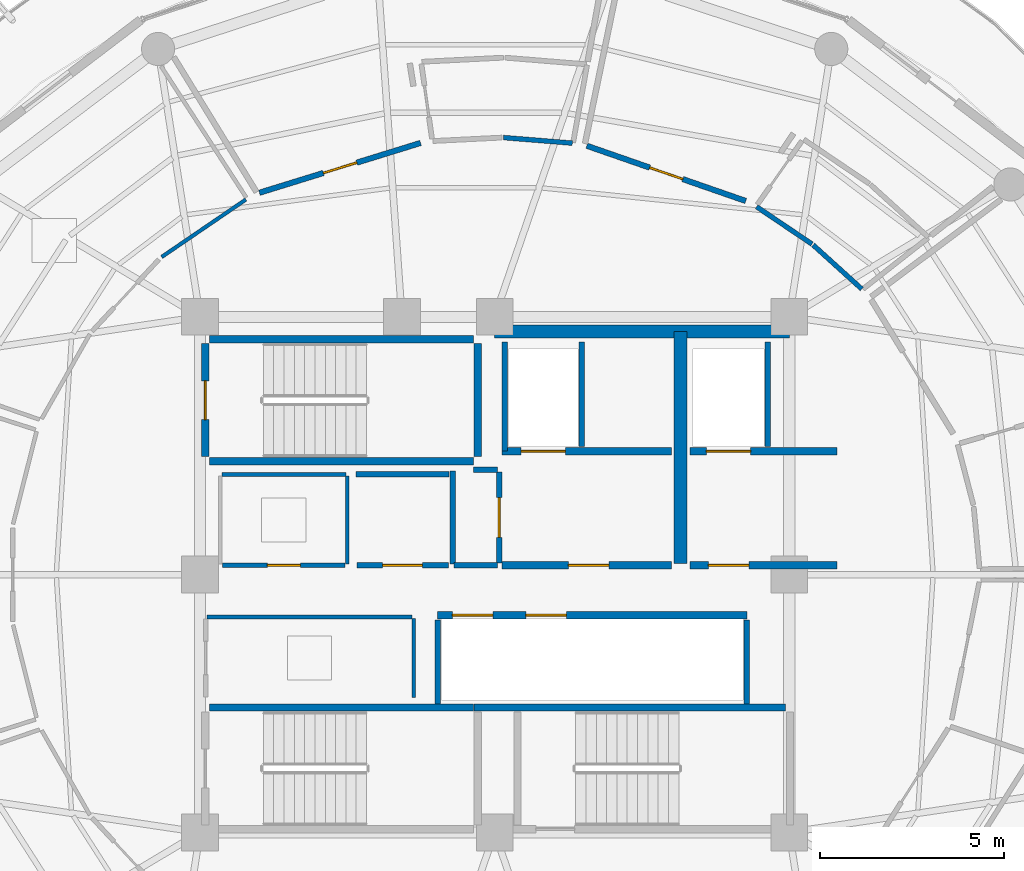
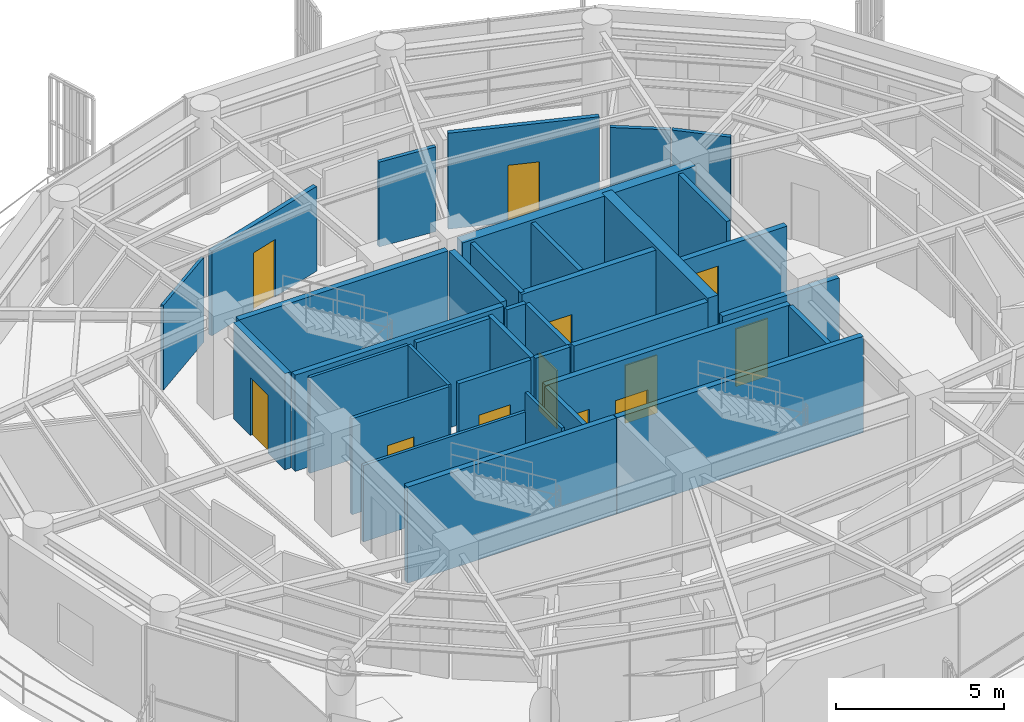
# One storey, part 18 of 24: 35 walls, 12 doors, 12 openings.
"""IFC4 building model written with IfcOpenShell, lengths in metres."""

from ifc_helpers import new_model, si_unit, direction, frame, frame_2d, origin, place, context, subcontext, project, spatial, rectangle, extrude, material, layer, layer_set, type_object, element, fill, save


model = new_model("IFC4")

# Units and contexts
model_context = context("Model", 3, precision=1e-05, world=origin(), true_north=direction((0.0, 1.0)))
body_context = subcontext(model_context, "Body", "Model", "MODEL_VIEW")
ifc_project = project(units=[si_unit("LENGTHUNIT", "METRE"), si_unit("AREAUNIT", "SQUARE_METRE"), si_unit("VOLUMEUNIT", "CUBIC_METRE"), si_unit("PLANEANGLEUNIT", "RADIAN"), si_unit("MASSUNIT", "GRAM", prefix="KILO")], contexts=[model_context])

# Site, building, storey
site_placement = place(None, origin())
site = spatial("IfcSite", under=ifc_project, at=site_placement, CompositionType="ELEMENT")
building_placement = place(site_placement, origin())
building = spatial("IfcBuilding", under=site, at=building_placement, Name="Kelanora Arch Commons", CompositionType="ELEMENT")
storey_placement = place(building_placement, frame((0.0, 0.0, 248.699951171875)))
storey = spatial("IfcBuildingStorey", under=building, at=storey_placement, Name="L63", CompositionType="ELEMENT", Elevation=248.699951171875)

# Walls
ifc_material_1 = material(Name="Autoclaved aerated concrete blockwork with fire plaster", Category="masonry")
ifc_layer_1 = layer(ifc_material_1, 0.14990234375)
ifc_layer_set_1 = layer_set([ifc_layer_1], Name="Autoclaved aerated concrete blockwork with fire plaster")
wall_type_1 = type_object("IfcWallType", Name="W-COMP-150", PredefinedType="PARTITIONING", material=ifc_layer_set_1)
wall_1_placement = place(storey_placement, frame((74.280029296875, 61.35009765625, 0.0), z_axis=(0.0, 0.0, 1.0), x_axis=(0.0, 1.0, 0.0)))
element("IfcWall", 1, at=wall_1_placement, inside=storey, type_object=wall_type_1, Name="Firefighting Lift 1 West Shaft Wall L63", PredefinedType="PARTITIONING", context=body_context, shape_type="SweptSolid", body=[
    extrude(rectangle(XDim=2.969970703125, YDim=0.14990234375, at=frame_2d((1.48486328125, 0.0))), origin(), (0.0, 0.0, 1.0), 3.47998046875),
])
for number, where, z_axis, x_axis, name in (
    (2, (76.360107421875, 61.47998046875, 0.0), (0.0, 0.0, 1.0), (0.0, 1.0, 0.0), "Firefighting Lift 1 East Shaft Wall L63"),
    (3, (81.419921875, 61.47998046875, 0.0), (0.0, 0.0, 1.0), (0.0, 1.0, 0.0), "Firefighting Lift 2 East Shaft Wall L63"),
):
    element("IfcWall", number, at=place(storey_placement, frame(where, z_axis=z_axis, x_axis=x_axis)), inside=storey, type_object=wall_type_1, Name=name, PredefinedType="PARTITIONING", context=body_context, shape_type="SweptSolid", body=[
        extrude(rectangle(XDim=2.840087890625, YDim=0.14990234375, at=frame_2d((1.419921875, 0.0))), origin(), (0.0, 0.0, 1.0), 3.47998046875),
    ])
for number, where, z_axis, x_axis, name in (
    (4, (72.4599609375, 54.47998046875, 0.0), (0.0, 0.0, 1.0), (0.0, 1.0, 0.0), "South Lift Bank West Wall L63"),
    (5, (80.840087890625, 54.47998046875, 0.0), (0.0, 0.0, 1.0), (0.0, 1.0, 0.0), "South Lift Bank East Wall L63"),
):
    element("IfcWall", number, at=place(storey_placement, frame(where, z_axis=z_axis, x_axis=x_axis)), inside=storey, type_object=wall_type_1, Name=name, PredefinedType="PARTITIONING", context=body_context, shape_type="SweptSolid", body=[
        extrude(rectangle(XDim=2.2900390625, YDim=0.14990234375, at=frame_2d((1.14501953125, 0.0))), origin(), (0.0, 0.0, 1.0), 3.47998046875),
    ])

# Wall, opening, door
wall_2_placement = place(storey_placement, frame((74.1201171875, 58.31005859375, 0.0), z_axis=(0.0, 0.0, 1.0), x_axis=(0.0, 1.0, 0.0)))
wall_2 = element("IfcWall", 6, at=wall_2_placement, inside=storey, type_object=wall_type_1, Name="Core Linen Supply Store L63 Entry Partition", PredefinedType="PARTITIONING", context=body_context, shape_type="SweptSolid", body=[
    extrude(rectangle(XDim=2.47998046875, YDim=0.14990234375, at=frame_2d((1.239990234375, 0.0))), origin(), (0.0, 0.0, 1.0), 3.47998046875),
])
opening_1_placement = place(wall_2_placement, frame((0.699951171875, 0.0, 0.0)))
opening_1 = element("IfcOpeningElement", 7, at=opening_1_placement, cuts=wall_2, Name="Opening D-PLT1", PredefinedType="OPENING", context=body_context, shape_type="SweptSolid", body=[
    extrude(rectangle(XDim=1.080078125, YDim=2.10009765625, at=frame_2d((0.5400390625, 1.050048828125))), frame((0.0, 0.0849609375, 0.0), z_axis=(0.0, -1.0, 0.0), x_axis=(1.0, 0.0, 0.0)), (0.0, 0.0, 1.0), 0.169921875),
])
ifc_material_2 = material(Name="Galvanised steel plant and riser fire door", Category="steel")
door_type_1 = type_object("IfcDoorType", Name="D-PLT-110", OperationType="NOTDEFINED", PredefinedType="DOOR", material=ifc_material_2)
door_1_placement = place(opening_1_placement, origin())
door_1 = element("IfcDoor", 8, at=door_1_placement, inside=storey, type_object=door_type_1, Name="Core Linen Supply Store L63 Door", OperationType="SINGLE_SWING_LEFT", OverallHeight=2.10009765625, OverallWidth=1.080078125, PredefinedType="DOOR", context=body_context, shape_type="SweptSolid", body=[
    extrude(rectangle(XDim=1.080078125, YDim=2.10009765625, at=frame_2d((0.5400390625, 1.050048828125))), frame((0.0, 0.02490234375, 0.0), z_axis=(0.0, -1.0, 0.0), x_axis=(1.0, 0.0, 0.0)), (0.0, 0.0, 1.0), 0.050048828125),
])
fill(opening_1, door_1)

wall_3_placement = place(storey_placement, frame((70.260009765625, 58.25, 0.0), z_axis=(0.0, 0.0, 1.0), x_axis=(1.0, 0.0, 0.0)))
wall_3 = element("IfcWall", 9, at=wall_3_placement, inside=storey, type_object=wall_type_1, Name="Reclaimed Core Linen Store L63 Entry Partition", PredefinedType="PARTITIONING", context=body_context, shape_type="SweptSolid", body=[
    extrude(rectangle(XDim=2.47998046875, YDim=0.14990234375, at=frame_2d((1.239990234375, 0.0))), origin(), (0.0, 0.0, 1.0), 3.47998046875),
])
opening_2_placement = place(wall_3_placement, frame((0.699951171875, 0.0, 0.0)))
opening_2 = element("IfcOpeningElement", 10, at=opening_2_placement, cuts=wall_3, Name="Opening D-PLT1", PredefinedType="OPENING", context=body_context, shape_type="SweptSolid", body=[
    extrude(rectangle(XDim=1.080078125, YDim=2.10009765625, at=frame_2d((0.5400390625, 1.050048828125))), frame((0.0, 0.0849609375, 0.0), z_axis=(0.0, -1.0, 0.0), x_axis=(1.0, 0.0, 0.0)), (0.0, 0.0, 1.0), 0.169921875),
])
door_2_placement = place(opening_2_placement, origin())
door_2 = element("IfcDoor", 11, at=door_2_placement, inside=storey, type_object=door_type_1, Name="Reclaimed Core Linen Store L63 Door", OperationType="SINGLE_SWING_LEFT", OverallHeight=2.10009765625, OverallWidth=1.080078125, PredefinedType="DOOR", context=body_context, shape_type="SweptSolid", body=[
    extrude(rectangle(XDim=1.080078125, YDim=2.10009765625, at=frame_2d((0.5400390625, 1.050048828125))), frame((0.0, 0.02490234375, 0.0), z_axis=(0.0, -1.0, 0.0), x_axis=(1.0, 0.0, 0.0)), (0.0, 0.0, 1.0), 0.050048828125),
])
fill(opening_2, door_2)

wall_4_placement = place(storey_placement, frame((80.818359375, 68.144775390625, 0.0), z_axis=(0.0, 0.0, 1.0), x_axis=(-0.944627899296, 0.328143462331, 0.0)))
wall_4 = element("IfcWall", 12, at=wall_4_placement, inside=storey, type_object=wall_type_1, Name="Co-Living Studio L63-02 Entry Partition", PredefinedType="PARTITIONING", context=body_context, shape_type="SweptSolid", body=[
    extrude(rectangle(XDim=4.569580078125, YDim=0.14990234375, at=frame_2d((2.28466796875, 0.0))), origin(), (0.0, 0.0, 1.0), 3.47998046875),
])
opening_3_placement = place(wall_4_placement, frame((1.81005859375, 0.0, 0.0)))
opening_3 = element("IfcOpeningElement", 13, at=opening_3_placement, cuts=wall_4, Name="Opening D-CLU1", PredefinedType="OPENING", context=body_context, shape_type="SweptSolid", body=[
    extrude(rectangle(XDim=0.949951171875, YDim=2.080078125, at=frame_2d((0.47509765625, 1.0400390625))), frame((0.0, 0.0849609375, 0.0), z_axis=(0.0, -1.0, 0.0), x_axis=(1.0, 0.0, 0.0)), (0.0, 0.0, 1.0), 0.169921875),
])
ifc_material_3 = material(Name="Solid-core acoustic timber cluster entry fire door", Category="wood")
door_type_2 = type_object("IfcDoorType", Name="D-CLU-95", OperationType="NOTDEFINED", PredefinedType="DOOR", material=ifc_material_3)
door_3_placement = place(opening_3_placement, origin())
door_3 = element("IfcDoor", 14, at=door_3_placement, inside=storey, type_object=door_type_2, Name="Co-Living Studio L63-02 Door", OperationType="SINGLE_SWING_RIGHT", OverallHeight=2.080078125, OverallWidth=0.949951171875, PredefinedType="DOOR", context=body_context, shape_type="SweptSolid", body=[
    extrude(rectangle(XDim=0.949951171875, YDim=2.080078125, at=frame_2d((0.47509765625, 1.0400390625))), frame((0.0, 0.02490234375, 0.0), z_axis=(0.0, -1.0, 0.0), x_axis=(1.0, 0.0, 0.0)), (0.0, 0.0, 1.0), 0.050048828125),
])
fill(opening_3, door_3)

wall_5_placement = place(storey_placement, frame((71.98876953125, 69.72119140625, 0.0), z_axis=(0.0, 0.0, 1.0), x_axis=(-0.955414123224, -0.295269119863, 0.0)))
wall_5 = element("IfcWall", 15, at=wall_5_placement, inside=storey, type_object=wall_type_1, Name="Co-Living Studio L63-03 Entry Partition", PredefinedType="PARTITIONING", context=body_context, shape_type="SweptSolid", body=[
    extrude(rectangle(XDim=4.580810546875, YDim=0.14990234375, at=frame_2d((2.29052734375, 0.0))), origin(), (0.0, 0.0, 1.0), 3.074951171875),
])
opening_4_placement = place(wall_5_placement, frame((1.81494140625, 0.0, 0.0)))
opening_4 = element("IfcOpeningElement", 16, at=opening_4_placement, cuts=wall_5, Name="Opening D-CLU1", PredefinedType="OPENING", context=body_context, shape_type="SweptSolid", body=[
    extrude(rectangle(XDim=0.949951171875, YDim=2.080078125, at=frame_2d((0.47509765625, 1.0400390625))), frame((0.0, 0.0849609375, 0.0), z_axis=(0.0, -1.0, 0.0), x_axis=(1.0, 0.0, 0.0)), (0.0, 0.0, 1.0), 0.169921875),
])
door_4_placement = place(opening_4_placement, origin())
door_4 = element("IfcDoor", 17, at=door_4_placement, inside=storey, type_object=door_type_2, Name="Co-Living Studio L63-03 Door", OperationType="SINGLE_SWING_RIGHT", OverallHeight=2.080078125, OverallWidth=0.949951171875, PredefinedType="DOOR", context=body_context, shape_type="SweptSolid", body=[
    extrude(rectangle(XDim=0.949951171875, YDim=2.080078125, at=frame_2d((0.47509765625, 1.0400390625))), frame((0.0, 0.02490234375, 0.0), z_axis=(0.0, -1.0, 0.0), x_axis=(1.0, 0.0, 0.0)), (0.0, 0.0, 1.0), 0.050048828125),
])
fill(opening_4, door_4)

# Walls
wall_6_placement = place(storey_placement, frame((72.89990234375, 58.25, 0.0), z_axis=(0.0, 0.0, 1.0), x_axis=(1.0, 0.0, 0.0)))
element("IfcWall", 18, at=wall_6_placement, inside=storey, type_object=wall_type_1, Name="Core Linen Supply Store L63 Enclosure Partition 1", PredefinedType="PARTITIONING", context=body_context, shape_type="SweptSolid", body=[
    extrude(rectangle(XDim=1.18017578125, YDim=0.14990234375, at=frame_2d((0.590087890625, 0.0))), origin(), (0.0, 0.0, 1.0), 3.47998046875),
])
wall_7_placement = place(storey_placement, frame((74.080078125, 60.85009765625, 0.0), z_axis=(0.0, 0.0, 1.0), x_axis=(-1.0, 0.0, 0.0)))
element("IfcWall", 19, at=wall_7_placement, inside=storey, type_object=wall_type_1, Name="Core Linen Supply Store L63 Enclosure Partition 3", PredefinedType="PARTITIONING", context=body_context, shape_type="SweptSolid", body=[
    extrude(rectangle(XDim=0.66015625, YDim=0.14990234375, at=frame_2d((0.330078125, 0.0))), origin(), (0.0, 0.0, 1.0), 3.47998046875),
])
for number, where, z_axis, x_axis, name in (
    (20, (72.860107421875, 60.81005859375, 0.0), (0.0, 0.0, 1.0), (0.0, -1.0, 0.0), "Core Linen Supply Store L63 Enclosure Partition 4"),
    (21, (72.760009765625, 60.719970703125, 0.0), (0.0, 0.0, 1.0), (-1.0, 0.0, 0.0), "Reclaimed Core Linen Store L63 Enclosure Partition 3"),
):
    element("IfcWall", number, at=place(storey_placement, frame(where, z_axis=z_axis, x_axis=x_axis)), inside=storey, type_object=wall_type_1, Name=name, PredefinedType="PARTITIONING", context=body_context, shape_type="SweptSolid", body=[
        extrude(rectangle(XDim=2.52001953125, YDim=0.14990234375, at=frame_2d((1.260009765625, 0.0))), origin(), (0.0, 0.0, 1.0), 3.47998046875),
    ])
ifc_material_4 = material(Name="Concrete C50/60", Category="concrete")
ifc_layer_2 = layer(ifc_material_4, 0.35009765625)
ifc_layer_set_2 = layer_set([ifc_layer_2], Name="Concrete C50/60")
wall_type_2 = type_object("IfcWallType", Name="W-CORE-350", PredefinedType="SHEAR", material=ifc_layer_set_2)
wall_8_placement = place(storey_placement, frame((74.0, 64.60009765625, 0.0), z_axis=(0.0, 0.0, 1.0), x_axis=(1.0, 0.0, 0.0)))
element("IfcWall", 22, at=wall_8_placement, inside=storey, type_object=wall_type_2, Name="Core Shear Spine L63-CN-E", PredefinedType="SHEAR", context=body_context, shape_type="SweptSolid", body=[
    extrude(rectangle(XDim=8.0, YDim=0.35009765625, at=frame_2d((4.0, 0.0))), origin(), (0.0, 0.0, 1.0), 3.489990234375),
])
wall_9_placement = place(storey_placement, frame((79.050048828125, 58.300048828125, 0.0), z_axis=(0.0, 0.0, 1.0), x_axis=(0.0, 1.0, 0.0)))
element("IfcWall", 23, at=wall_9_placement, inside=storey, type_object=wall_type_2, Name="Core Shear Spine L63-CE-N", PredefinedType="SHEAR", context=body_context, shape_type="SweptSolid", body=[
    extrude(rectangle(XDim=6.300048828125, YDim=0.35009765625, at=frame_2d((3.14990234375, 0.0))), origin(), (0.0, 0.0, 1.0), 3.489990234375),
])

# Wall, opening, door
ifc_material_5 = material(Name="Concrete C40/50", Category="concrete")
ifc_layer_3 = layer(ifc_material_5, 0.199951171875)
ifc_layer_set_3 = layer_set([ifc_layer_3], Name="Concrete C40/50")
wall_type_3 = type_object("IfcWallType", Name="W-FFL-200", PredefinedType="SOLIDWALL", material=ifc_layer_set_3)
wall_10_placement = place(storey_placement, frame((74.199951171875, 61.35009765625, 0.0), z_axis=(0.0, 0.0, 1.0), x_axis=(1.0, 0.0, 0.0)))
wall_10 = element("IfcWall", 24, at=wall_10_placement, inside=storey, type_object=wall_type_3, Name="Firefighting Lift 1 Shaft Front L63", PredefinedType="SOLIDWALL", context=body_context, shape_type="SweptSolid", body=[
    extrude(rectangle(XDim=4.60009765625, YDim=0.199951171875, at=frame_2d((2.300048828125, 0.0))), origin(), (0.0, 0.0, 1.0), 3.47998046875),
])
opening_5_placement = place(wall_10_placement, frame((0.52001953125, 0.0, 0.0)))
opening_5 = element("IfcOpeningElement", 25, at=opening_5_placement, cuts=wall_10, Name="Opening LD-FF", PredefinedType="OPENING", context=body_context, shape_type="SweptSolid", body=[
    extrude(rectangle(XDim=1.199951171875, YDim=2.14990234375, at=frame_2d((0.60009765625, 1.074951171875))), frame((0.0, 0.10986328125, 0.0), z_axis=(0.0, -1.0, 0.0), x_axis=(1.0, 0.0, 0.0)), (0.0, 0.0, 1.0), 0.219970703125),
])
ifc_material_6 = material(Name="Fire-rated firefighters lift sliding landing door")
door_type_3 = type_object("IfcDoorType", Name="D-LIFT-FF", OperationType="NOTDEFINED", PredefinedType="DOOR", material=ifc_material_6)
door_5_placement = place(opening_5_placement, origin())
door_5 = element("IfcDoor", 26, at=door_5_placement, inside=storey, type_object=door_type_3, Name="Firefighting Lift LF-FF1 Landing Door L63", OperationType="DOUBLE_DOOR_SLIDING", OverallHeight=2.14990234375, OverallWidth=1.199951171875, PredefinedType="DOOR", context=body_context, shape_type="SweptSolid", body=[
    extrude(rectangle(XDim=1.199951171875, YDim=2.14990234375, at=frame_2d((0.60009765625, 1.074951171875))), frame((0.0, 0.02490234375, 0.0), z_axis=(0.0, -1.0, 0.0), x_axis=(1.0, 0.0, 0.0)), (0.0, 0.0, 1.0), 0.050048828125),
])
fill(opening_5, door_5)

wall_11_placement = place(storey_placement, frame((79.300048828125, 61.35009765625, 0.0), z_axis=(0.0, 0.0, 1.0), x_axis=(1.0, 0.0, 0.0)))
wall_11 = element("IfcWall", 27, at=wall_11_placement, inside=storey, type_object=wall_type_3, Name="Firefighting Lift 2 Shaft Front L63", PredefinedType="SOLIDWALL", context=body_context, shape_type="SweptSolid", body=[
    extrude(rectangle(XDim=4.0, YDim=0.199951171875, at=frame_2d((2.0, 0.0))), origin(), (0.0, 0.0, 1.0), 2.775146484375),
])
opening_6_placement = place(wall_11_placement, frame((0.449951171875, 0.0, 0.0)))
opening_6 = element("IfcOpeningElement", 28, at=opening_6_placement, cuts=wall_11, Name="Opening LD-FF", PredefinedType="OPENING", context=body_context, shape_type="SweptSolid", body=[
    extrude(rectangle(XDim=1.199951171875, YDim=2.14990234375, at=frame_2d((0.60009765625, 1.074951171875))), frame((0.0, 0.10986328125, 0.0), z_axis=(0.0, -1.0, 0.0), x_axis=(1.0, 0.0, 0.0)), (0.0, 0.0, 1.0), 0.219970703125),
])
door_6_placement = place(opening_6_placement, origin())
door_6 = element("IfcDoor", 29, at=door_6_placement, inside=storey, type_object=door_type_3, Name="Firefighting Lift LF-FF2 Landing Door L63", OperationType="DOUBLE_DOOR_SLIDING", OverallHeight=2.14990234375, OverallWidth=1.199951171875, PredefinedType="DOOR", context=body_context, shape_type="SweptSolid", body=[
    extrude(rectangle(XDim=1.199951171875, YDim=2.14990234375, at=frame_2d((0.60009765625, 1.074951171875))), frame((0.0, 0.02490234375, 0.0), z_axis=(0.0, -1.0, 0.0), x_axis=(1.0, 0.0, 0.0)), (0.0, 0.0, 1.0), 0.050048828125),
])
fill(opening_6, door_6)

wall_12_placement = place(storey_placement, frame((74.199951171875, 58.25, 0.0), z_axis=(0.0, 0.0, 1.0), x_axis=(1.0, 0.0, 0.0)))
wall_12 = element("IfcWall", 30, at=wall_12_placement, inside=storey, type_object=wall_type_3, Name="Firefighting Lobby 1 Enclosure Wall L63", PredefinedType="SOLIDWALL", context=body_context, shape_type="SweptSolid", body=[
    extrude(rectangle(XDim=4.60009765625, YDim=0.199951171875, at=frame_2d((2.300048828125, 0.0))), origin(), (0.0, 0.0, 1.0), 3.47998046875),
])
opening_7_placement = place(wall_12_placement, frame((1.800048828125, 0.0, 0.0)))
opening_7 = element("IfcOpeningElement", 31, at=opening_7_placement, cuts=wall_12, Name="Opening D-FFL1", PredefinedType="OPENING", context=body_context, shape_type="SweptSolid", body=[
    extrude(rectangle(XDim=1.10009765625, YDim=2.10009765625, at=frame_2d((0.550048828125, 1.050048828125))), frame((0.0, 0.10986328125, 0.0), z_axis=(0.0, -1.0, 0.0), x_axis=(1.0, 0.0, 0.0)), (0.0, 0.0, 1.0), 0.219970703125),
])
ifc_material_7 = material(Name="Smoke-sealed firefighting lobby fire door")
door_type_4 = type_object("IfcDoorType", Name="D-FFL-110", OperationType="NOTDEFINED", PredefinedType="DOOR", material=ifc_material_7)
door_7_placement = place(opening_7_placement, frame((1.10009765625, 0.0, 0.0), z_axis=(0.0, 0.0, 1.0), x_axis=(-1.0, 0.0, 0.0)))
door_7 = element("IfcDoor", 32, at=door_7_placement, inside=storey, type_object=door_type_4, Name="Firefighting Lobby 1 Door L63", OperationType="SINGLE_SWING_LEFT", OverallHeight=2.10009765625, OverallWidth=1.10009765625, PredefinedType="DOOR", context=body_context, shape_type="SweptSolid", body=[
    extrude(rectangle(XDim=1.10009765625, YDim=2.10009765625, at=frame_2d((0.550048828125, 1.050048828125))), frame((0.0, 0.02490234375, 0.0), z_axis=(0.0, -1.0, 0.0), x_axis=(1.0, 0.0, 0.0)), (0.0, 0.0, 1.0), 0.050048828125),
])
fill(opening_7, door_7)

wall_13_placement = place(storey_placement, frame((79.300048828125, 58.25, 0.0), z_axis=(0.0, 0.0, 1.0), x_axis=(1.0, 0.0, 0.0)))
wall_13 = element("IfcWall", 33, at=wall_13_placement, inside=storey, type_object=wall_type_3, Name="Firefighting Lobby 2 Enclosure Wall L63", PredefinedType="SOLIDWALL", context=body_context, shape_type="SweptSolid", body=[
    extrude(rectangle(XDim=4.0, YDim=0.199951171875, at=frame_2d((2.0, 0.0))), origin(), (0.0, 0.0, 1.0), 2.775146484375),
])
opening_8_placement = place(wall_13_placement, frame((0.5, 0.0, 0.0)))
opening_8 = element("IfcOpeningElement", 34, at=opening_8_placement, cuts=wall_13, Name="Opening D-FFL1", PredefinedType="OPENING", context=body_context, shape_type="SweptSolid", body=[
    extrude(rectangle(XDim=1.10009765625, YDim=2.10009765625, at=frame_2d((0.550048828125, 1.050048828125))), frame((0.0, 0.10986328125, 0.0), z_axis=(0.0, -1.0, 0.0), x_axis=(1.0, 0.0, 0.0)), (0.0, 0.0, 1.0), 0.219970703125),
])
door_8_placement = place(opening_8_placement, frame((1.10009765625, 0.0, 0.0), z_axis=(0.0, 0.0, 1.0), x_axis=(-1.0, 0.0, 0.0)))
door_8 = element("IfcDoor", 35, at=door_8_placement, inside=storey, type_object=door_type_4, Name="Firefighting Lobby 2 Door L63", OperationType="SINGLE_SWING_RIGHT", OverallHeight=2.10009765625, OverallWidth=1.10009765625, PredefinedType="DOOR", context=body_context, shape_type="SweptSolid", body=[
    extrude(rectangle(XDim=1.10009765625, YDim=2.10009765625, at=frame_2d((0.550048828125, 1.050048828125))), frame((0.0, 0.02490234375, 0.0), z_axis=(0.0, -1.0, 0.0), x_axis=(1.0, 0.0, 0.0)), (0.0, 0.0, 1.0), 0.050048828125),
])
fill(opening_8, door_8)

# Wall, openings, doors
wall_14_placement = place(storey_placement, frame((72.449951171875, 56.89990234375, 0.0), z_axis=(0.0, 0.0, 1.0), x_axis=(1.0, 0.0, 0.0)))
wall_14 = element("IfcWall", 36, at=wall_14_placement, inside=storey, type_object=wall_type_3, Name="Mid/High/Express Lift Shaft Front L63", PredefinedType="SOLIDWALL", context=body_context, shape_type="SweptSolid", body=[
    extrude(rectangle(XDim=8.400146484375, YDim=0.199951171875, at=frame_2d((4.2001953125, 0.0))), origin(), (0.0, 0.0, 1.0), 3.47998046875),
])
opening_9_placement = place(wall_14_placement, frame((0.39990234375, 0.0, 0.0)))
opening_9 = element("IfcOpeningElement", 37, at=opening_9_placement, cuts=wall_14, Name="Opening LD-01", PredefinedType="OPENING", context=body_context, shape_type="SweptSolid", body=[
    extrude(rectangle(XDim=1.10009765625, YDim=2.10009765625, at=frame_2d((0.550048828125, 1.050048828125))), frame((0.0, 0.10986328125, 0.0), z_axis=(0.0, -1.0, 0.0), x_axis=(1.0, 0.0, 0.0)), (0.0, 0.0, 1.0), 0.219970703125),
])
opening_10_placement = place(wall_14_placement, frame((2.39990234375, 0.0, 0.0)))
opening_10 = element("IfcOpeningElement", 38, at=opening_10_placement, cuts=wall_14, Name="Opening LD-01", PredefinedType="OPENING", context=body_context, shape_type="SweptSolid", body=[
    extrude(rectangle(XDim=1.10009765625, YDim=2.10009765625, at=frame_2d((0.550048828125, 1.050048828125))), frame((0.0, 0.10986328125, 0.0), z_axis=(0.0, -1.0, 0.0), x_axis=(1.0, 0.0, 0.0)), (0.0, 0.0, 1.0), 0.219970703125),
])
ifc_material_8 = material(Name="Stainless steel passenger lift sliding landing door", Category="steel")
door_type_5 = type_object("IfcDoorType", Name="D-LIFT-110", OperationType="NOTDEFINED", PredefinedType="DOOR", material=ifc_material_8)
door_9_placement = place(opening_9_placement, origin())
door_9 = element("IfcDoor", 39, at=door_9_placement, inside=storey, type_object=door_type_5, Name="Passenger Lift LF-P7 Landing Door L63", OperationType="DOUBLE_DOOR_SLIDING", OverallHeight=2.10009765625, OverallWidth=1.10009765625, PredefinedType="DOOR", context=body_context, shape_type="SweptSolid", body=[
    extrude(rectangle(XDim=1.10009765625, YDim=2.10009765625, at=frame_2d((0.550048828125, 1.050048828125))), frame((0.0, 0.02490234375, 0.0), z_axis=(0.0, -1.0, 0.0), x_axis=(1.0, 0.0, 0.0)), (0.0, 0.0, 1.0), 0.050048828125),
])
fill(opening_9, door_9)
door_10_placement = place(opening_10_placement, origin())
door_10 = element("IfcDoor", 40, at=door_10_placement, inside=storey, type_object=door_type_5, Name="Passenger Lift LF-P8 Landing Door L63", OperationType="DOUBLE_DOOR_SLIDING", OverallHeight=2.10009765625, OverallWidth=1.10009765625, PredefinedType="DOOR", context=body_context, shape_type="SweptSolid", body=[
    extrude(rectangle(XDim=1.10009765625, YDim=2.10009765625, at=frame_2d((0.550048828125, 1.050048828125))), frame((0.0, 0.02490234375, 0.0), z_axis=(0.0, -1.0, 0.0), x_axis=(1.0, 0.0, 0.0)), (0.0, 0.0, 1.0), 0.050048828125),
])
fill(opening_10, door_10)

# Walls
ifc_material_9 = material(Name="Lightweight fire-rated acoustic stud partition")
ifc_layer_4 = layer(ifc_material_9, 0.10009765625)
ifc_layer_set_4 = layer_set([ifc_layer_4], Name="Lightweight fire-rated acoustic stud partition")
wall_type_4 = type_object("IfcWallType", Name="W-PART-100", PredefinedType="PARTITIONING", material=ifc_layer_set_4)
wall_15_placement = place(storey_placement, frame((70.0, 58.2900390625, 0.0), z_axis=(0.0, 0.0, 1.0), x_axis=(0.0, 1.0, 0.0)))
element("IfcWall", 41, at=wall_15_placement, inside=storey, type_object=wall_type_4, Name="Reclaimed Core Quiet Phone Booths L63 Enclosure Partition 2", PredefinedType="PARTITIONING", context=body_context, shape_type="SweptSolid", body=[
    extrude(rectangle(XDim=2.389892578125, YDim=0.10009765625, at=frame_2d((1.19482421875, 0.0))), origin(), (0.0, 0.0, 1.0), 3.47998046875),
])
wall_16_placement = place(storey_placement, frame((69.9599609375, 60.719970703125, 0.0), z_axis=(0.0, 0.0, 1.0), x_axis=(-1.0, 0.0, 0.0)))
element("IfcWall", 42, at=wall_16_placement, inside=storey, type_object=wall_type_4, Name="Reclaimed Core Quiet Phone Booths L63 Enclosure Partition 3", PredefinedType="PARTITIONING", context=body_context, shape_type="SweptSolid", body=[
    extrude(rectangle(XDim=3.369873046875, YDim=0.10009765625, at=frame_2d((1.68505859375, 0.0))), origin(), (0.0, 0.0, 1.0), 3.47998046875),
])
wall_17_placement = place(storey_placement, frame((71.800048828125, 54.659912109375, 0.0), z_axis=(0.0, 0.0, 1.0), x_axis=(0.0, 1.0, 0.0)))
element("IfcWall", 43, at=wall_17_placement, inside=storey, type_object=wall_type_4, Name="Reclaimed Core High-Zone Pantry and Copy Room L63 Enclosure Partition 2", PredefinedType="PARTITIONING", context=body_context, shape_type="SweptSolid", body=[
    extrude(rectangle(XDim=2.150146484375, YDim=0.10009765625, at=frame_2d((1.0751953125, 0.0))), origin(), (0.0, 0.0, 1.0), 3.47998046875),
])
wall_18_placement = place(storey_placement, frame((71.760009765625, 56.85009765625, 0.0), z_axis=(0.0, 0.0, 1.0), x_axis=(-1.0, 0.0, 0.0)))
element("IfcWall", 44, at=wall_18_placement, inside=storey, type_object=wall_type_4, Name="Reclaimed Core High-Zone Pantry and Copy Room L63 Enclosure Partition 3", PredefinedType="PARTITIONING", context=body_context, shape_type="SweptSolid", body=[
    extrude(rectangle(XDim=5.570068359375, YDim=0.10009765625, at=frame_2d((2.78515625, 0.0))), origin(), (0.0, 0.0, 1.0), 2.775146484375),
])
wall_19_placement = place(storey_placement, frame((67.242919921875, 68.18359375, 0.0), z_axis=(0.0, 0.0, 1.0), x_axis=(-0.826087380575, -0.563542047814, 0.0)))
element("IfcWall", 45, at=wall_19_placement, inside=storey, type_object=wall_type_4, Name="Communal Dining and Social Hall L63-04 Enclosure Partition 1", PredefinedType="PARTITIONING", context=body_context, shape_type="SweptSolid", body=[
    extrude(rectangle(XDim=2.768310546875, YDim=0.10009765625, at=frame_2d((1.38427734375, 0.0))), origin(), (0.0, 0.0, 1.0), 3.074951171875),
])

# Wall, opening, door
ifc_material_10 = material(Name="Acoustic twin-stud fire-rated gypsum partition")
ifc_layer_5 = layer(ifc_material_10, 0.1201171875)
ifc_layer_set_5 = layer_set([ifc_layer_5], Name="Acoustic twin-stud fire-rated gypsum partition")
wall_type_5 = type_object("IfcWallType", Name="W-PART-120", PredefinedType="PARTITIONING", material=ifc_layer_set_5)
wall_20_placement = place(storey_placement, frame((66.610107421875, 58.25, 0.0), z_axis=(0.0, 0.0, 1.0), x_axis=(1.0, 0.0, 0.0)))
wall_20 = element("IfcWall", 46, at=wall_20_placement, inside=storey, type_object=wall_type_5, Name="Reclaimed Core Quiet Phone Booths L63 Entry Partition", PredefinedType="PARTITIONING", context=body_context, shape_type="SweptSolid", body=[
    extrude(rectangle(XDim=3.329833984375, YDim=0.1201171875, at=frame_2d((1.6650390625, 0.0))), origin(), (0.0, 0.0, 1.0), 3.47998046875),
])
opening_11_placement = place(wall_20_placement, frame((1.215087890625, 0.0, 0.0)))
opening_11 = element("IfcOpeningElement", 47, at=opening_11_placement, cuts=wall_20, Name="Opening D-RM1", PredefinedType="OPENING", context=body_context, shape_type="SweptSolid", body=[
    extrude(rectangle(XDim=0.89990234375, YDim=2.080078125, at=frame_2d((0.449951171875, 1.0400390625))), frame((0.0, 0.070068359375, 0.0), z_axis=(0.0, -1.0, 0.0), x_axis=(1.0, 0.0, 0.0)), (0.0, 0.0, 1.0), 0.14013671875),
])
ifc_material_11 = material(Name="Acoustic fire-rated timber study and lounge door", Category="wood")
door_type_6 = type_object("IfcDoorType", Name="D-ROOM-90", OperationType="NOTDEFINED", PredefinedType="DOOR", material=ifc_material_11)
door_11_placement = place(opening_11_placement, origin())
door_11 = element("IfcDoor", 48, at=door_11_placement, inside=storey, type_object=door_type_6, Name="Reclaimed Core Quiet Phone Booths L63 Door", OperationType="SINGLE_SWING_RIGHT", OverallHeight=2.080078125, OverallWidth=0.89990234375, PredefinedType="DOOR", context=body_context, shape_type="SweptSolid", body=[
    extrude(rectangle(XDim=0.89990234375, YDim=2.080078125, at=frame_2d((0.449951171875, 1.0400390625))), frame((0.0, 0.02490234375, 0.0), z_axis=(0.0, -1.0, 0.0), x_axis=(1.0, 0.0, 0.0)), (0.0, 0.0, 1.0), 0.050048828125),
])
fill(opening_11, door_11)

# Walls
ifc_layer_6 = layer(ifc_material_5, 0.199951171875)
ifc_layer_set_6 = layer_set([ifc_layer_6], Name="Concrete C40/50")
wall_type_6 = type_object("IfcWallType", Name="W-STAIR-200", PredefinedType="SHEAR", material=ifc_layer_set_6)
wall_21_placement = place(storey_placement, frame((66.260009765625, 61.080078125, 0.0), z_axis=(0.0, 0.0, 1.0), x_axis=(1.0, 0.0, 0.0)))
element("IfcWall", 49, at=wall_21_placement, inside=storey, type_object=wall_type_6, Name="Stair ST-T1 Shaft Wall S L63", PredefinedType="SHEAR", context=body_context, shape_type="SweptSolid", body=[
    extrude(rectangle(XDim=7.159912109375, YDim=0.199951171875, at=frame_2d((3.580078125, 0.0))), origin(), (0.0, 0.0, 1.0), 3.489990234375),
])
wall_22_placement = place(storey_placement, frame((73.5400390625, 61.199951171875, 0.0), z_axis=(0.0, 0.0, 1.0), x_axis=(0.0, 1.0, 0.0)))
element("IfcWall", 50, at=wall_22_placement, inside=storey, type_object=wall_type_6, Name="Stair ST-T1 Shaft Wall E L63", PredefinedType="SHEAR", context=body_context, shape_type="SweptSolid", body=[
    extrude(rectangle(XDim=3.070068359375, YDim=0.199951171875, at=frame_2d((1.53515625, 0.0))), origin(), (0.0, 0.0, 1.0), 3.489990234375),
])
wall_23_placement = place(storey_placement, frame((73.419921875, 64.389892578125, 0.0), z_axis=(0.0, 0.0, 1.0), x_axis=(-1.0, 0.0, 0.0)))
element("IfcWall", 51, at=wall_23_placement, inside=storey, type_object=wall_type_6, Name="Stair ST-T1 Shaft Wall N L63", PredefinedType="SHEAR", context=body_context, shape_type="SweptSolid", body=[
    extrude(rectangle(XDim=7.159912109375, YDim=0.199951171875, at=frame_2d((3.580078125, 0.0))), origin(), (0.0, 0.0, 1.0), 3.489990234375),
])

# Wall, opening, door
wall_24_placement = place(storey_placement, frame((66.139892578125, 64.27001953125, 0.0), z_axis=(0.0, 0.0, 1.0), x_axis=(0.0, -1.0, 0.0)))
wall_24 = element("IfcWall", 52, at=wall_24_placement, inside=storey, type_object=wall_type_6, Name="Stair ST-T1 Shaft Wall W L63", PredefinedType="SHEAR", context=body_context, shape_type="SweptSolid", body=[
    extrude(rectangle(XDim=3.070068359375, YDim=0.199951171875, at=frame_2d((1.53515625, 0.0))), origin(), (0.0, 0.0, 1.0), 3.489990234375),
])
opening_12_placement = place(wall_24_placement, frame((1.010009765625, 0.0, 0.0)))
opening_12 = element("IfcOpeningElement", 53, at=opening_12_placement, cuts=wall_24, Name="Opening D-ST1", PredefinedType="OPENING", context=body_context, shape_type="SweptSolid", body=[
    extrude(rectangle(XDim=1.050048828125, YDim=2.10009765625, at=frame_2d((0.52490234375, 1.050048828125))), frame((0.0, 0.10986328125, 0.0), z_axis=(0.0, -1.0, 0.0), x_axis=(1.0, 0.0, 0.0)), (0.0, 0.0, 1.0), 0.219970703125),
])
ifc_material_12 = material(Name="Steel fire-rated stairwell escape door", Category="steel")
door_type_7 = type_object("IfcDoorType", Name="D-STAIR-110", OperationType="NOTDEFINED", PredefinedType="DOOR", material=ifc_material_12)
door_12_placement = place(opening_12_placement, origin())
door_12 = element("IfcDoor", 54, at=door_12_placement, inside=storey, type_object=door_type_7, Name="Stair ST-T1 Escape Door L63", OperationType="SINGLE_SWING_LEFT", OverallHeight=2.10009765625, OverallWidth=1.050048828125, PredefinedType="DOOR", context=body_context, shape_type="SweptSolid", body=[
    extrude(rectangle(XDim=1.050048828125, YDim=2.10009765625, at=frame_2d((0.52490234375, 1.050048828125))), frame((0.0, 0.02490234375, 0.0), z_axis=(0.0, -1.0, 0.0), x_axis=(1.0, 0.0, 0.0)), (0.0, 0.0, 1.0), 0.050048828125),
])
fill(opening_12, door_12)

# Walls
wall_25_placement = place(storey_placement, frame((81.89990234375, 54.389892578125, 0.0), z_axis=(0.0, 0.0, 1.0), x_axis=(-1.0, 0.0, 0.0)))
element("IfcWall", 55, at=wall_25_placement, inside=storey, type_object=wall_type_6, Name="Stair ST-T2 Shaft Wall N L63", PredefinedType="SHEAR", context=body_context, shape_type="SweptSolid", body=[
    extrude(rectangle(XDim=8.4599609375, YDim=0.199951171875, at=frame_2d((4.22998046875, 0.0))), origin(), (0.0, 0.0, 1.0), 3.489990234375),
])
wall_26_placement = place(storey_placement, frame((73.419921875, 54.389892578125, 0.0), z_axis=(0.0, 0.0, 1.0), x_axis=(-1.0, 0.0, 0.0)))
element("IfcWall", 56, at=wall_26_placement, inside=storey, type_object=wall_type_6, Name="Stair ST-T3 Shaft Wall N L63", PredefinedType="SHEAR", context=body_context, shape_type="SweptSolid", body=[
    extrude(rectangle(XDim=7.159912109375, YDim=0.199951171875, at=frame_2d((3.580078125, 0.0))), origin(), (0.0, 0.0, 1.0), 3.489990234375),
])
ifc_material_13 = material(Name="Moisture-resistant fire-rated cement-board plumbing wall")
ifc_layer_7 = layer(ifc_material_13, 0.1298828125)
ifc_layer_set_7 = layer_set([ifc_layer_7], Name="Moisture-resistant fire-rated cement-board plumbing wall")
wall_type_7 = type_object("IfcWallType", Name="W-WET-120", PredefinedType="PLUMBINGWALL", material=ifc_layer_set_7)
wall_27_placement = place(storey_placement, frame((83.97021484375, 65.75341796875, 0.0), z_axis=(0.0, 0.0, 1.0), x_axis=(-0.741337974143, 0.671131885767, 0.0)))
element("IfcWall", 57, at=wall_27_placement, inside=storey, type_object=wall_type_7, Name="En-Suite Shower WC L63-02 Enclosure Partition 1", PredefinedType="PLUMBINGWALL", context=body_context, shape_type="SweptSolid", body=[
    extrude(rectangle(XDim=1.783935546875, YDim=0.1298828125, at=frame_2d((0.89208984375, 0.0))), origin(), (0.0, 0.0, 1.0), 3.074951171875),
])
wall_28_placement = place(storey_placement, frame((82.616455078125, 66.97509765625, 0.0), z_axis=(0.0, 0.0, 1.0), x_axis=(-0.82921750612, 0.558926048367, 0.0)))
element("IfcWall", 58, at=wall_28_placement, inside=storey, type_object=wall_type_7, Name="En-Suite Shower WC L63-02 Enclosure Partition 2", PredefinedType="PLUMBINGWALL", context=body_context, shape_type="SweptSolid", body=[
    extrude(rectangle(XDim=1.81005859375, YDim=0.1298828125, at=frame_2d((0.905029296875, 0.0))), origin(), (0.0, 0.0, 1.0), 3.074951171875),
])
wall_29_placement = place(storey_placement, frame((76.108154296875, 69.715576171875, 0.0), z_axis=(0.0, 0.0, 1.0), x_axis=(-0.996754521178, 0.080501083911, 0.0)))
element("IfcWall", 59, at=wall_29_placement, inside=storey, type_object=wall_type_7, Name="En-Suite Shower WC L63-03 Enclosure Partition 1", PredefinedType="PLUMBINGWALL", context=body_context, shape_type="SweptSolid", body=[
    extrude(rectangle(XDim=1.874267578125, YDim=0.1298828125, at=frame_2d((0.93701171875, 0.0))), origin(), (0.0, 0.0, 1.0), 3.074951171875),
])

save(model, "model.ifc")
